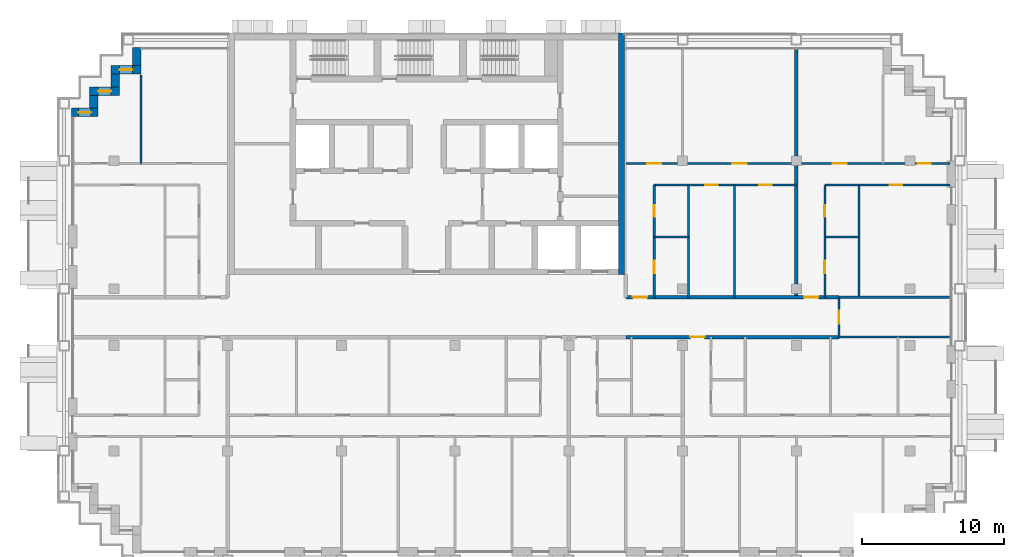
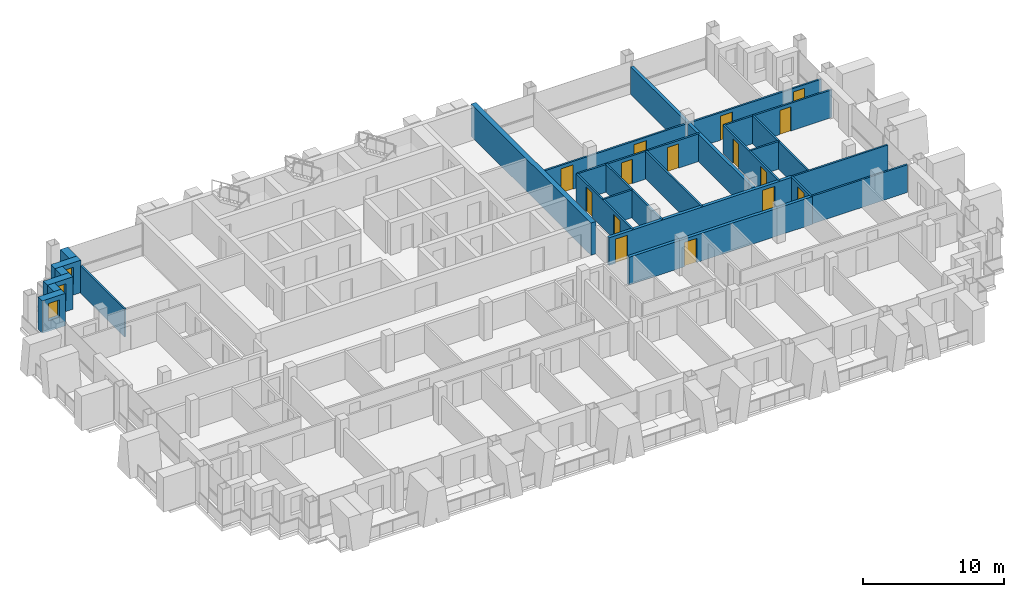
# One storey, part 11 of 16: 25 walls, 15 doors, 3 windows, 18 openings.
"""IFC4 building model written with IfcOpenShell, lengths in metres."""

from ifc_helpers import new_model, si_unit, direction, frame, frame_2d, origin, place, context, subcontext, project, spatial, rectangle, extrude, material, layer, layer_set, type_object, element, fill, save


model = new_model("IFC4")

# Units and contexts
model_context = context("Model", 3, precision=1e-05, world=origin(), true_north=direction((0.0, 1.0)))
body_context = subcontext(model_context, "Body", "Model", "MODEL_VIEW")
ifc_project = project(units=[si_unit("LENGTHUNIT", "METRE"), si_unit("AREAUNIT", "SQUARE_METRE"), si_unit("VOLUMEUNIT", "CUBIC_METRE"), si_unit("PLANEANGLEUNIT", "RADIAN"), si_unit("MASSUNIT", "GRAM", prefix="KILO")], contexts=[model_context])

# Site, building, storey
site_placement = place(None, origin())
site = spatial("IfcSite", under=ifc_project, at=site_placement, CompositionType="ELEMENT")
building_placement = place(site_placement, origin())
building = spatial("IfcBuilding", under=site, at=building_placement, Name="Vidyagriha Tower", CompositionType="ELEMENT")
storey_placement = place(building_placement, frame((0.0, 0.0, 190.89990234375)))
storey = spatial("IfcBuildingStorey", under=building, at=storey_placement, Name="L50", CompositionType="ELEMENT", Elevation=190.89990234375)

# Wall
ifc_material_1 = material(Name="Precast concrete C40/50 with brick facing", Category="concrete")
ifc_layer_1 = layer(ifc_material_1, 0.60009765625)
ifc_layer_set_1 = layer_set([ifc_layer_1], Name="Precast concrete C40/50 with brick facing")
wall_type_1 = type_object("IfcWallType", Name="Brick-faced precast wall 600", PredefinedType="STANDARD", material=ifc_layer_set_1)
wall_1_placement = place(storey_placement, frame((-20.39990234375, 18.97998046875, 0.0), z_axis=(0.0, 0.0, 1.0), x_axis=(0.0, -1.0, 0.0)))
element("IfcWall", 1, at=wall_1_placement, inside=storey, type_object=wall_type_1, Name="Stepped corner wall L50 R10", PredefinedType="STANDARD", context=body_context, shape_type="SweptSolid", body=[
    extrude(rectangle(XDim=1.280029296875, YDim=0.60009765625, at=frame_2d((0.64013671875, 0.0))), origin(), (0.0, 0.0, 1.0), 2.800048828125),
])

# Wall, opening, window
wall_2_placement = place(storey_placement, frame((-20.10009765625, 17.39990234375, 0.0), z_axis=(0.0, 0.0, 1.0), x_axis=(-1.0, 0.0, 0.0)))
wall_2 = element("IfcWall", 2, at=wall_2_placement, inside=storey, type_object=wall_type_1, Name="Stepped corner wall L50 R11", PredefinedType="STANDARD", context=body_context, shape_type="SweptSolid", body=[
    extrude(rectangle(XDim=2.099853515625, YDim=0.60009765625, at=frame_2d((1.0498046875, 0.0))), origin(), (0.0, 0.0, 1.0), 2.800048828125),
])
opening_1_placement = place(wall_2_placement, frame((0.60009765625, 0.0, 0.89990234375)))
opening_1 = element("IfcOpeningElement", 3, at=opening_1_placement, cuts=wall_2, Name="Opening WN1", PredefinedType="OPENING", context=body_context, shape_type="SweptSolid", body=[
    extrude(rectangle(XDim=0.89990234375, YDim=1.5, at=frame_2d((0.449951171875, 0.75))), frame((0.0, 0.31005859375, 0.0), z_axis=(0.0, -1.0, 0.0), x_axis=(1.0, 0.0, 0.0)), (0.0, 0.0, 1.0), 0.6201171875),
])
ifc_material_2 = material(Name="Aluminium and glass window", Category="aluminium")
window_type = type_object("IfcWindowType", Name="Reveal window 900x1500", PartitioningType="NOTDEFINED", PredefinedType="WINDOW", material=ifc_material_2)
window_1_placement = place(opening_1_placement, origin())
window_1 = element("IfcWindow", 4, at=window_1_placement, inside=storey, type_object=window_type, Name="Reveal window L50 R11", OverallHeight=1.5, OverallWidth=0.89990234375, PartitioningType="SINGLE_PANEL", PredefinedType="WINDOW", context=body_context, shape_type="SweptSolid", body=[
    extrude(rectangle(XDim=0.89990234375, YDim=1.5, at=frame_2d((0.449951171875, 0.75))), frame((0.0, 0.030029296875, 0.0), z_axis=(0.0, -1.0, 0.0), x_axis=(1.0, 0.0, 0.0)), (0.0, 0.0, 1.0), 0.06005859375),
])
fill(opening_1, window_1)

# Wall
wall_3_placement = place(storey_placement, frame((-21.89990234375, 17.10009765625, 0.0), z_axis=(0.0, 0.0, 1.0), x_axis=(0.0, -1.0, 0.0)))
element("IfcWall", 5, at=wall_3_placement, inside=storey, type_object=wall_type_1, Name="Stepped corner wall L50 R12", PredefinedType="STANDARD", context=body_context, shape_type="SweptSolid", body=[
    extrude(rectangle(XDim=0.900146484375, YDim=0.60009765625, at=frame_2d((0.4501953125, 0.0))), origin(), (0.0, 0.0, 1.0), 2.800048828125),
])

# Wall, opening, window
wall_4_placement = place(storey_placement, frame((-21.60009765625, 15.89990234375, 0.0), z_axis=(0.0, 0.0, 1.0), x_axis=(-1.0, 0.0, 0.0)))
wall_4 = element("IfcWall", 6, at=wall_4_placement, inside=storey, type_object=wall_type_1, Name="Stepped corner wall L50 R13", PredefinedType="STANDARD", context=body_context, shape_type="SweptSolid", body=[
    extrude(rectangle(XDim=2.099853515625, YDim=0.60009765625, at=frame_2d((1.0498046875, 0.0))), origin(), (0.0, 0.0, 1.0), 2.800048828125),
])
opening_2_placement = place(wall_4_placement, frame((0.60009765625, 0.0, 0.89990234375)))
opening_2 = element("IfcOpeningElement", 7, at=opening_2_placement, cuts=wall_4, Name="Opening WN1", PredefinedType="OPENING", context=body_context, shape_type="SweptSolid", body=[
    extrude(rectangle(XDim=0.89990234375, YDim=1.5, at=frame_2d((0.449951171875, 0.75))), frame((0.0, 0.31005859375, 0.0), z_axis=(0.0, -1.0, 0.0), x_axis=(1.0, 0.0, 0.0)), (0.0, 0.0, 1.0), 0.6201171875),
])
window_2_placement = place(opening_2_placement, origin())
window_2 = element("IfcWindow", 8, at=window_2_placement, inside=storey, type_object=window_type, Name="Reveal window L50 R13", OverallHeight=1.5, OverallWidth=0.89990234375, PartitioningType="SINGLE_PANEL", PredefinedType="WINDOW", context=body_context, shape_type="SweptSolid", body=[
    extrude(rectangle(XDim=0.89990234375, YDim=1.5, at=frame_2d((0.449951171875, 0.75))), frame((0.0, 0.030029296875, 0.0), z_axis=(0.0, -1.0, 0.0), x_axis=(1.0, 0.0, 0.0)), (0.0, 0.0, 1.0), 0.06005859375),
])
fill(opening_2, window_2)

# Wall
wall_5_placement = place(storey_placement, frame((-23.39990234375, 15.60009765625, 0.0), z_axis=(0.0, 0.0, 1.0), x_axis=(0.0, -1.0, 0.0)))
element("IfcWall", 9, at=wall_5_placement, inside=storey, type_object=wall_type_1, Name="Stepped corner wall L50 R14", PredefinedType="STANDARD", context=body_context, shape_type="SweptSolid", body=[
    extrude(rectangle(XDim=0.900146484375, YDim=0.60009765625, at=frame_2d((0.4501953125, 0.0))), origin(), (0.0, 0.0, 1.0), 2.800048828125),
])

# Wall, opening, window
wall_6_placement = place(storey_placement, frame((-23.10009765625, 14.39990234375, 0.0), z_axis=(0.0, 0.0, 1.0), x_axis=(-1.0, 0.0, 0.0)))
wall_6 = element("IfcWall", 10, at=wall_6_placement, inside=storey, type_object=wall_type_1, Name="Stepped corner wall L50 R15", PredefinedType="STANDARD", context=body_context, shape_type="SweptSolid", body=[
    extrude(rectangle(XDim=1.8798828125, YDim=0.60009765625, at=frame_2d((0.93994140625, 0.0))), origin(), (0.0, 0.0, 1.0), 2.800048828125),
])
opening_3_placement = place(wall_6_placement, frame((0.489990234375, 0.0, 0.89990234375)))
opening_3 = element("IfcOpeningElement", 11, at=opening_3_placement, cuts=wall_6, Name="Opening WN1", PredefinedType="OPENING", context=body_context, shape_type="SweptSolid", body=[
    extrude(rectangle(XDim=0.89990234375, YDim=1.5, at=frame_2d((0.449951171875, 0.75))), frame((0.0, 0.31005859375, 0.0), z_axis=(0.0, -1.0, 0.0), x_axis=(1.0, 0.0, 0.0)), (0.0, 0.0, 1.0), 0.6201171875),
])
window_3_placement = place(opening_3_placement, origin())
window_3 = element("IfcWindow", 12, at=window_3_placement, inside=storey, type_object=window_type, Name="Reveal window L50 R15", OverallHeight=1.5, OverallWidth=0.89990234375, PartitioningType="SINGLE_PANEL", PredefinedType="WINDOW", context=body_context, shape_type="SweptSolid", body=[
    extrude(rectangle(XDim=0.89990234375, YDim=1.5, at=frame_2d((0.449951171875, 0.75))), frame((0.0, 0.030029296875, 0.0), z_axis=(0.0, -1.0, 0.0), x_axis=(1.0, 0.0, 0.0)), (0.0, 0.0, 1.0), 0.06005859375),
])
fill(opening_3, window_3)

# Wall
ifc_material_3 = material(Name="Concrete C60/75", Category="concrete")
ifc_layer_2 = layer(ifc_material_3, 0.39990234375)
ifc_layer_set_2 = layer_set([ifc_layer_2], Name="Concrete C60/75")
wall_type_2 = type_object("IfcWallType", Name="Core shear wall 400 mm", PredefinedType="SHEAR", material=ifc_layer_set_2)
wall_7_placement = place(storey_placement, frame((13.699951171875, 3.0, 0.0), z_axis=(0.0, 0.0, 1.0), x_axis=(0.0, 1.0, 0.0)))
element("IfcWall", 13, at=wall_7_placement, inside=storey, type_object=wall_type_2, Name="Core east wall", PredefinedType="SHEAR", context=body_context, shape_type="SweptSolid", body=[
    extrude(rectangle(XDim=17.0, YDim=0.39990234375, at=frame_2d((8.5, 0.0))), origin(), (0.0, 0.0, 1.0), 2.800048828125),
])

# Wall, opening, door
ifc_material_4 = material(Name="Fired clay brick masonry", Category="masonry")
ifc_layer_3 = layer(ifc_material_4, 0.25)
ifc_layer_set_3 = layer_set([ifc_layer_3], Name="Fired clay brick masonry")
wall_type_3 = type_object("IfcWallType", Name="Fired clay brick corridor wall 250", PredefinedType="PARTITIONING", material=ifc_layer_set_3)
wall_8_placement = place(storey_placement, frame((29.0, -1.39990234375, 0.0), z_axis=(0.0, 0.0, 1.0), x_axis=(-1.0, 0.0, 0.0)))
wall_8 = element("IfcWall", 14, at=wall_8_placement, inside=storey, type_object=wall_type_3, Name="Wall all-L50-w071", PredefinedType="PARTITIONING", context=body_context, shape_type="SweptSolid", body=[
    extrude(rectangle(XDim=15.0, YDim=0.25, at=frame_2d((7.5, 0.0))), origin(), (0.0, 0.0, 1.0), 2.400146484375),
])
opening_4_placement = place(wall_8_placement, frame((9.452880859375, 0.0, 0.0)))
opening_4 = element("IfcOpeningElement", 15, at=opening_4_placement, cuts=wall_8, Name="Opening D50-49", PredefinedType="OPENING", context=body_context, shape_type="SweptSolid", body=[
    extrude(rectangle(XDim=1.0, YDim=2.10009765625, at=frame_2d((0.5, 1.050048828125))), frame((0.0, 0.135009765625, 0.0), z_axis=(0.0, -1.0, 0.0), x_axis=(1.0, 0.0, 0.0)), (0.0, 0.0, 1.0), 0.27001953125),
])
ifc_material_5 = material(Name="Fire-rated timber door leaf EI 60", Category="wood")
door_type_1 = type_object("IfcDoorType", Name="Flat entrance fire door 1000x2100", OperationType="NOTDEFINED", PredefinedType="DOOR", material=ifc_material_5)
door_1_placement = place(opening_4_placement, origin())
door_1 = element("IfcDoor", 16, at=door_1_placement, inside=storey, type_object=door_type_1, Name="Door D50-49", OperationType="SINGLE_SWING_RIGHT", OverallHeight=2.10009765625, OverallWidth=1.0, PredefinedType="DOOR", context=body_context, shape_type="SweptSolid", body=[
    extrude(rectangle(XDim=1.0, YDim=2.10009765625, at=frame_2d((0.5, 1.050048828125))), frame((0.0, 0.02490234375, 0.0), z_axis=(0.0, -1.0, 0.0), x_axis=(1.0, 0.0, 0.0)), (0.0, 0.0, 1.0), 0.050048828125),
])
fill(opening_4, door_1)

# Wall, openings, doors
wall_9_placement = place(storey_placement, frame((14.0, 1.39990234375, 0.0)))
wall_9 = element("IfcWall", 17, at=wall_9_placement, inside=storey, type_object=wall_type_3, Name="Wall all-L50-w113", PredefinedType="PARTITIONING", context=body_context, shape_type="SweptSolid", body=[
    extrude(rectangle(XDim=15.0, YDim=0.25, at=frame_2d((7.5, 0.0))), origin(), (0.0, 0.0, 1.0), 2.400146484375),
])
opening_5_placement = place(wall_9_placement, frame((0.5, 0.0, 0.0)))
opening_5 = element("IfcOpeningElement", 18, at=opening_5_placement, cuts=wall_9, Name="Opening D50-62", PredefinedType="OPENING", context=body_context, shape_type="SweptSolid", body=[
    extrude(rectangle(XDim=1.0, YDim=2.10009765625, at=frame_2d((0.5, 1.050048828125))), frame((0.0, 0.135009765625, 0.0), z_axis=(0.0, -1.0, 0.0), x_axis=(1.0, 0.0, 0.0)), (0.0, 0.0, 1.0), 0.27001953125),
])
opening_6_placement = place(wall_9_placement, frame((12.547119140625, 0.0, 0.0)))
opening_6 = element("IfcOpeningElement", 19, at=opening_6_placement, cuts=wall_9, Name="Opening D50-68", PredefinedType="OPENING", context=body_context, shape_type="SweptSolid", body=[
    extrude(rectangle(XDim=1.0, YDim=2.10009765625, at=frame_2d((0.5, 1.050048828125))), frame((0.0, 0.135009765625, 0.0), z_axis=(0.0, -1.0, 0.0), x_axis=(1.0, 0.0, 0.0)), (0.0, 0.0, 1.0), 0.27001953125),
])
door_2_placement = place(opening_5_placement, origin())
door_2 = element("IfcDoor", 20, at=door_2_placement, inside=storey, type_object=door_type_1, Name="Door D50-62", OperationType="SINGLE_SWING_LEFT", OverallHeight=2.10009765625, OverallWidth=1.0, PredefinedType="DOOR", context=body_context, shape_type="SweptSolid", body=[
    extrude(rectangle(XDim=1.0, YDim=2.10009765625, at=frame_2d((0.5, 1.050048828125))), frame((0.0, 0.02490234375, 0.0), z_axis=(0.0, -1.0, 0.0), x_axis=(1.0, 0.0, 0.0)), (0.0, 0.0, 1.0), 0.050048828125),
])
fill(opening_5, door_2)
door_3_placement = place(opening_6_placement, origin())
door_3 = element("IfcDoor", 21, at=door_3_placement, inside=storey, type_object=door_type_1, Name="Door D50-68", OperationType="SINGLE_SWING_LEFT", OverallHeight=2.10009765625, OverallWidth=1.0, PredefinedType="DOOR", context=body_context, shape_type="SweptSolid", body=[
    extrude(rectangle(XDim=1.0, YDim=2.10009765625, at=frame_2d((0.5, 1.050048828125))), frame((0.0, 0.02490234375, 0.0), z_axis=(0.0, -1.0, 0.0), x_axis=(1.0, 0.0, 0.0)), (0.0, 0.0, 1.0), 0.050048828125),
])
fill(opening_6, door_3)

# Walls
ifc_material_6 = material(Name="Fired clay brick masonry", Category="masonry")
ifc_layer_4 = layer(ifc_material_6, 0.25)
ifc_layer_set_4 = layer_set([ifc_layer_4], Name="Fired clay brick masonry")
wall_type_4 = type_object("IfcWallType", Name="Fired clay brick demising wall 250", PredefinedType="PARTITIONING", material=ifc_layer_set_4)
wall_10_placement = place(storey_placement, frame((26.0, 18.821044921875, 0.0), z_axis=(0.0, 0.0, 1.0), x_axis=(0.0, -1.0, 0.0)))
element("IfcWall", 22, at=wall_10_placement, inside=storey, type_object=wall_type_4, Name="Wall all-L50-w112", PredefinedType="PARTITIONING", context=body_context, shape_type="SweptSolid", body=[
    extrude(rectangle(XDim=17.421142578125, YDim=0.25, at=frame_2d((8.71044921875, 0.0))), origin(), (0.0, 0.0, 1.0), 2.400146484375),
])
ifc_material_7 = material(Name="Gypsum board partition")
ifc_layer_5 = layer(ifc_material_7, 0.14990234375)
ifc_layer_set_5 = layer_set([ifc_layer_5], Name="Gypsum board partition")
wall_type_5 = type_object("IfcWallType", Name="Gypsum board partition 150", PredefinedType="PARTITIONING", material=ifc_layer_set_5)
wall_11_placement = place(storey_placement, frame((36.820068359375, -1.39990234375, 0.0), z_axis=(0.0, 0.0, 1.0), x_axis=(-1.0, 0.0, 0.0)))
element("IfcWall", 23, at=wall_11_placement, inside=storey, type_object=wall_type_5, Name="Wall all-L50-w072", PredefinedType="PARTITIONING", context=body_context, shape_type="SweptSolid", body=[
    extrude(rectangle(XDim=7.820068359375, YDim=0.14990234375, at=frame_2d((3.91015625, 0.0))), origin(), (0.0, 0.0, 1.0), 2.400146484375),
])
wall_12_placement = place(storey_placement, frame((-20.10009765625, 17.02001953125, 0.0), z_axis=(0.0, 0.0, 1.0), x_axis=(0.0, -1.0, 0.0)))
element("IfcWall", 24, at=wall_12_placement, inside=storey, type_object=wall_type_5, Name="Wall all-L50-w083", PredefinedType="PARTITIONING", context=body_context, shape_type="SweptSolid", body=[
    extrude(rectangle(XDim=6.219970703125, YDim=0.14990234375, at=frame_2d((3.10986328125, 0.0))), origin(), (0.0, 0.0, 1.0), 2.400146484375),
])
wall_13_placement = place(storey_placement, frame((16.0, 5.64990234375, 0.0)))
element("IfcWall", 25, at=wall_13_placement, inside=storey, type_object=wall_type_5, Name="Wall all-L50-w089", PredefinedType="PARTITIONING", context=body_context, shape_type="SweptSolid", body=[
    extrude(rectangle(XDim=2.39990234375, YDim=0.14990234375, at=frame_2d((1.199951171875, 0.0))), origin(), (0.0, 0.0, 1.0), 2.400146484375),
])
for number, where, z_axis, x_axis, name in (
    (26, (18.39990234375, 9.300048828125, 0.0), (0.0, 0.0, 1.0), (0.0, -1.0, 0.0), "Wall all-L50-w090"),
    (27, (21.64990234375, 9.300048828125, 0.0), (0.0, 0.0, 1.0), (0.0, -1.0, 0.0), "Wall all-L50-w091"),
):
    element("IfcWall", number, at=place(storey_placement, frame(where, z_axis=z_axis, x_axis=x_axis)), inside=storey, type_object=wall_type_5, Name=name, PredefinedType="PARTITIONING", context=body_context, shape_type="SweptSolid", body=[
        extrude(rectangle(XDim=7.900146484375, YDim=0.14990234375, at=frame_2d((3.9501953125, 0.0))), origin(), (0.0, 0.0, 1.0), 2.400146484375),
    ])

# Wall, openings, doors
wall_14_placement = place(storey_placement, frame((26.0, 9.300048828125, 0.0), z_axis=(0.0, 0.0, 1.0), x_axis=(-1.0, 0.0, 0.0)))
wall_14 = element("IfcWall", 28, at=wall_14_placement, inside=storey, type_object=wall_type_5, Name="Wall all-L50-w092", PredefinedType="PARTITIONING", context=body_context, shape_type="SweptSolid", body=[
    extrude(rectangle(XDim=10.0, YDim=0.14990234375, at=frame_2d((5.0, 0.0))), origin(), (0.0, 0.0, 1.0), 2.400146484375),
])
opening_7_placement = place(wall_14_placement, frame((5.52490234375, 0.0, 0.0)))
opening_7 = element("IfcOpeningElement", 29, at=opening_7_placement, cuts=wall_14, Name="Opening D50-58", PredefinedType="OPENING", context=body_context, shape_type="SweptSolid", body=[
    extrude(rectangle(XDim=0.89990234375, YDim=2.10009765625, at=frame_2d((0.449951171875, 1.050048828125))), frame((0.0, 0.0849609375, 0.0), z_axis=(0.0, -1.0, 0.0), x_axis=(1.0, 0.0, 0.0)), (0.0, 0.0, 1.0), 0.169921875),
])
opening_8_placement = place(wall_14_placement, frame((1.72509765625, 0.0, 0.0)))
opening_8 = element("IfcOpeningElement", 30, at=opening_8_placement, cuts=wall_14, Name="Opening D50-59", PredefinedType="OPENING", context=body_context, shape_type="SweptSolid", body=[
    extrude(rectangle(XDim=0.89990234375, YDim=2.10009765625, at=frame_2d((0.449951171875, 1.050048828125))), frame((0.0, 0.0849609375, 0.0), z_axis=(0.0, -1.0, 0.0), x_axis=(1.0, 0.0, 0.0)), (0.0, 0.0, 1.0), 0.169921875),
])
ifc_material_8 = material(Name="Timber door leaf", Category="wood")
door_type_2 = type_object("IfcDoorType", Name="Room door 900x2100", OperationType="NOTDEFINED", PredefinedType="DOOR", material=ifc_material_8)
door_4_placement = place(opening_7_placement, origin())
door_4 = element("IfcDoor", 31, at=door_4_placement, inside=storey, type_object=door_type_2, Name="Door D50-58", OperationType="SINGLE_SWING_RIGHT", OverallHeight=2.10009765625, OverallWidth=0.89990234375, PredefinedType="DOOR", context=body_context, shape_type="SweptSolid", body=[
    extrude(rectangle(XDim=0.89990234375, YDim=2.10009765625, at=frame_2d((0.449951171875, 1.050048828125))), frame((0.0, 0.02490234375, 0.0), z_axis=(0.0, -1.0, 0.0), x_axis=(1.0, 0.0, 0.0)), (0.0, 0.0, 1.0), 0.050048828125),
])
fill(opening_7, door_4)
door_5_placement = place(opening_8_placement, origin())
door_5 = element("IfcDoor", 32, at=door_5_placement, inside=storey, type_object=door_type_2, Name="Door D50-59", OperationType="SINGLE_SWING_RIGHT", OverallHeight=2.10009765625, OverallWidth=0.89990234375, PredefinedType="DOOR", context=body_context, shape_type="SweptSolid", body=[
    extrude(rectangle(XDim=0.89990234375, YDim=2.10009765625, at=frame_2d((0.449951171875, 1.050048828125))), frame((0.0, 0.02490234375, 0.0), z_axis=(0.0, -1.0, 0.0), x_axis=(1.0, 0.0, 0.0)), (0.0, 0.0, 1.0), 0.050048828125),
])
fill(opening_8, door_5)

wall_15_placement = place(storey_placement, frame((14.0, 10.800048828125, 0.0)))
wall_15 = element("IfcWall", 33, at=wall_15_placement, inside=storey, type_object=wall_type_5, Name="Wall all-L50-w095", PredefinedType="PARTITIONING", context=body_context, shape_type="SweptSolid", body=[
    extrude(rectangle(XDim=12.0, YDim=0.14990234375, at=frame_2d((6.0, 0.0))), origin(), (0.0, 0.0, 1.0), 2.400146484375),
])
opening_9_placement = place(wall_15_placement, frame((1.5, 0.0, 0.0)))
opening_9 = element("IfcOpeningElement", 34, at=opening_9_placement, cuts=wall_15, Name="Opening D50-60", PredefinedType="OPENING", context=body_context, shape_type="SweptSolid", body=[
    extrude(rectangle(XDim=1.0, YDim=2.10009765625, at=frame_2d((0.5, 1.050048828125))), frame((0.0, 0.0849609375, 0.0), z_axis=(0.0, -1.0, 0.0), x_axis=(1.0, 0.0, 0.0)), (0.0, 0.0, 1.0), 0.169921875),
])
opening_10_placement = place(wall_15_placement, frame((7.5, 0.0, 0.0)))
opening_10 = element("IfcOpeningElement", 35, at=opening_10_placement, cuts=wall_15, Name="Opening D50-61", PredefinedType="OPENING", context=body_context, shape_type="SweptSolid", body=[
    extrude(rectangle(XDim=1.0, YDim=2.10009765625, at=frame_2d((0.5, 1.050048828125))), frame((0.0, 0.0849609375, 0.0), z_axis=(0.0, -1.0, 0.0), x_axis=(1.0, 0.0, 0.0)), (0.0, 0.0, 1.0), 0.169921875),
])
ifc_material_9 = material(Name="Timber door leaf", Category="wood")
door_type_3 = type_object("IfcDoorType", Name="Room door 1000x2100", OperationType="NOTDEFINED", PredefinedType="DOOR", material=ifc_material_9)
door_6_placement = place(opening_9_placement, origin())
door_6 = element("IfcDoor", 36, at=door_6_placement, inside=storey, type_object=door_type_3, Name="Door D50-60", OperationType="SINGLE_SWING_RIGHT", OverallHeight=2.10009765625, OverallWidth=1.0, PredefinedType="DOOR", context=body_context, shape_type="SweptSolid", body=[
    extrude(rectangle(XDim=1.0, YDim=2.10009765625, at=frame_2d((0.5, 1.050048828125))), frame((0.0, 0.02490234375, 0.0), z_axis=(0.0, -1.0, 0.0), x_axis=(1.0, 0.0, 0.0)), (0.0, 0.0, 1.0), 0.050048828125),
])
fill(opening_9, door_6)
door_7_placement = place(opening_10_placement, origin())
door_7 = element("IfcDoor", 37, at=door_7_placement, inside=storey, type_object=door_type_3, Name="Door D50-61", OperationType="SINGLE_SWING_RIGHT", OverallHeight=2.10009765625, OverallWidth=1.0, PredefinedType="DOOR", context=body_context, shape_type="SweptSolid", body=[
    extrude(rectangle(XDim=1.0, YDim=2.10009765625, at=frame_2d((0.5, 1.050048828125))), frame((0.0, 0.02490234375, 0.0), z_axis=(0.0, -1.0, 0.0), x_axis=(1.0, 0.0, 0.0)), (0.0, 0.0, 1.0), 0.050048828125),
])
fill(opening_10, door_7)

# Walls
wall_16_placement = place(storey_placement, frame((28.0, 5.64990234375, 0.0)))
element("IfcWall", 38, at=wall_16_placement, inside=storey, type_object=wall_type_5, Name="Wall all-L50-w103", PredefinedType="PARTITIONING", context=body_context, shape_type="SweptSolid", body=[
    extrude(rectangle(XDim=2.39990234375, YDim=0.14990234375, at=frame_2d((1.199951171875, 0.0))), origin(), (0.0, 0.0, 1.0), 2.400146484375),
])
wall_17_placement = place(storey_placement, frame((30.39990234375, 9.300048828125, 0.0), z_axis=(0.0, 0.0, 1.0), x_axis=(0.0, -1.0, 0.0)))
element("IfcWall", 39, at=wall_17_placement, inside=storey, type_object=wall_type_5, Name="Wall all-L50-w104", PredefinedType="PARTITIONING", context=body_context, shape_type="SweptSolid", body=[
    extrude(rectangle(XDim=7.900146484375, YDim=0.14990234375, at=frame_2d((3.9501953125, 0.0))), origin(), (0.0, 0.0, 1.0), 2.400146484375),
])

# Wall, opening, door
wall_18_placement = place(storey_placement, frame((36.81005859375, 9.300048828125, 0.0), z_axis=(0.0, 0.0, 1.0), x_axis=(-1.0, 0.0, 0.0)))
wall_18 = element("IfcWall", 40, at=wall_18_placement, inside=storey, type_object=wall_type_5, Name="Wall all-L50-w105", PredefinedType="PARTITIONING", context=body_context, shape_type="SweptSolid", body=[
    extrude(rectangle(XDim=8.81005859375, YDim=0.14990234375, at=frame_2d((4.405029296875, 0.0))), origin(), (0.0, 0.0, 1.0), 2.400146484375),
])
opening_11_placement = place(wall_18_placement, frame((3.35693359375, 0.0, 0.0)))
opening_11 = element("IfcOpeningElement", 41, at=opening_11_placement, cuts=wall_18, Name="Opening D50-65", PredefinedType="OPENING", context=body_context, shape_type="SweptSolid", body=[
    extrude(rectangle(XDim=0.89990234375, YDim=2.10009765625, at=frame_2d((0.449951171875, 1.050048828125))), frame((0.0, 0.0849609375, 0.0), z_axis=(0.0, -1.0, 0.0), x_axis=(1.0, 0.0, 0.0)), (0.0, 0.0, 1.0), 0.169921875),
])
door_8_placement = place(opening_11_placement, origin())
door_8 = element("IfcDoor", 42, at=door_8_placement, inside=storey, type_object=door_type_2, Name="Door D50-65", OperationType="SINGLE_SWING_RIGHT", OverallHeight=2.10009765625, OverallWidth=0.89990234375, PredefinedType="DOOR", context=body_context, shape_type="SweptSolid", body=[
    extrude(rectangle(XDim=0.89990234375, YDim=2.10009765625, at=frame_2d((0.449951171875, 1.050048828125))), frame((0.0, 0.02490234375, 0.0), z_axis=(0.0, -1.0, 0.0), x_axis=(1.0, 0.0, 0.0)), (0.0, 0.0, 1.0), 0.050048828125),
])
fill(opening_11, door_8)

# Wall, openings, doors
wall_19_placement = place(storey_placement, frame((26.0, 10.800048828125, 0.0)))
wall_19 = element("IfcWall", 43, at=wall_19_placement, inside=storey, type_object=wall_type_5, Name="Wall all-L50-w107", PredefinedType="PARTITIONING", context=body_context, shape_type="SweptSolid", body=[
    extrude(rectangle(XDim=10.81005859375, YDim=0.14990234375, at=frame_2d((5.405029296875, 0.0))), origin(), (0.0, 0.0, 1.0), 2.400146484375),
])
opening_12_placement = place(wall_19_placement, frame((2.550048828125, 0.0, 0.0)))
opening_12 = element("IfcOpeningElement", 44, at=opening_12_placement, cuts=wall_19, Name="Opening D50-66", PredefinedType="OPENING", context=body_context, shape_type="SweptSolid", body=[
    extrude(rectangle(XDim=1.0, YDim=2.10009765625, at=frame_2d((0.5, 1.050048828125))), frame((0.0, 0.0849609375, 0.0), z_axis=(0.0, -1.0, 0.0), x_axis=(1.0, 0.0, 0.0)), (0.0, 0.0, 1.0), 0.169921875),
])
opening_13_placement = place(wall_19_placement, frame((8.547119140625, 0.0, 0.0)))
opening_13 = element("IfcOpeningElement", 45, at=opening_13_placement, cuts=wall_19, Name="Opening D50-67", PredefinedType="OPENING", context=body_context, shape_type="SweptSolid", body=[
    extrude(rectangle(XDim=0.89990234375, YDim=2.10009765625, at=frame_2d((0.449951171875, 1.050048828125))), frame((0.0, 0.0849609375, 0.0), z_axis=(0.0, -1.0, 0.0), x_axis=(1.0, 0.0, 0.0)), (0.0, 0.0, 1.0), 0.169921875),
])
door_9_placement = place(opening_12_placement, origin())
door_9 = element("IfcDoor", 46, at=door_9_placement, inside=storey, type_object=door_type_3, Name="Door D50-66", OperationType="SINGLE_SWING_RIGHT", OverallHeight=2.10009765625, OverallWidth=1.0, PredefinedType="DOOR", context=body_context, shape_type="SweptSolid", body=[
    extrude(rectangle(XDim=1.0, YDim=2.10009765625, at=frame_2d((0.5, 1.050048828125))), frame((0.0, 0.02490234375, 0.0), z_axis=(0.0, -1.0, 0.0), x_axis=(1.0, 0.0, 0.0)), (0.0, 0.0, 1.0), 0.050048828125),
])
fill(opening_12, door_9)
door_10_placement = place(opening_13_placement, origin())
door_10 = element("IfcDoor", 47, at=door_10_placement, inside=storey, type_object=door_type_2, Name="Door D50-67", OperationType="SINGLE_SWING_RIGHT", OverallHeight=2.10009765625, OverallWidth=0.89990234375, PredefinedType="DOOR", context=body_context, shape_type="SweptSolid", body=[
    extrude(rectangle(XDim=0.89990234375, YDim=2.10009765625, at=frame_2d((0.449951171875, 1.050048828125))), frame((0.0, 0.02490234375, 0.0), z_axis=(0.0, -1.0, 0.0), x_axis=(1.0, 0.0, 0.0)), (0.0, 0.0, 1.0), 0.050048828125),
])
fill(opening_13, door_10)

# Wall
wall_20_placement = place(storey_placement, frame((29.0, 1.39990234375, 0.0)))
element("IfcWall", 48, at=wall_20_placement, inside=storey, type_object=wall_type_5, Name="Wall all-L50-w114", PredefinedType="PARTITIONING", context=body_context, shape_type="SweptSolid", body=[
    extrude(rectangle(XDim=7.820068359375, YDim=0.14990234375, at=frame_2d((3.91015625, 0.0))), origin(), (0.0, 0.0, 1.0), 2.400146484375),
])

# Wall, opening, door
wall_21_placement = place(storey_placement, frame((29.0, -1.39990234375, 0.0), z_axis=(0.0, 0.0, 1.0), x_axis=(0.0, 1.0, 0.0)))
wall_21 = element("IfcWall", 49, at=wall_21_placement, inside=storey, type_object=wall_type_5, Name="Wall all-L50-w115", PredefinedType="PARTITIONING", context=body_context, shape_type="SweptSolid", body=[
    extrude(rectangle(XDim=2.7998046875, YDim=0.14990234375, at=frame_2d((1.39990234375, 0.0))), origin(), (0.0, 0.0, 1.0), 2.400146484375),
])
opening_14_placement = place(wall_21_placement, frame((0.949951171875, 0.0, 0.0)))
opening_14 = element("IfcOpeningElement", 50, at=opening_14_placement, cuts=wall_21, Name="Opening D50-69", PredefinedType="OPENING", context=body_context, shape_type="SweptSolid", body=[
    extrude(rectangle(XDim=0.89990234375, YDim=2.10009765625, at=frame_2d((0.449951171875, 1.050048828125))), frame((0.0, 0.0849609375, 0.0), z_axis=(0.0, -1.0, 0.0), x_axis=(1.0, 0.0, 0.0)), (0.0, 0.0, 1.0), 0.169921875),
])
door_11_placement = place(opening_14_placement, origin())
door_11 = element("IfcDoor", 51, at=door_11_placement, inside=storey, type_object=door_type_2, Name="Door D50-69", OperationType="SINGLE_SWING_RIGHT", OverallHeight=2.10009765625, OverallWidth=0.89990234375, PredefinedType="DOOR", context=body_context, shape_type="SweptSolid", body=[
    extrude(rectangle(XDim=0.89990234375, YDim=2.10009765625, at=frame_2d((0.449951171875, 1.050048828125))), frame((0.0, 0.02490234375, 0.0), z_axis=(0.0, -1.0, 0.0), x_axis=(1.0, 0.0, 0.0)), (0.0, 0.0, 1.0), 0.050048828125),
])
fill(opening_14, door_11)

# Wall, openings, doors
ifc_material_10 = material(Name="Moisture resistant gypsum board partition")
ifc_layer_6 = layer(ifc_material_10, 0.14990234375)
ifc_layer_set_6 = layer_set([ifc_layer_6], Name="Moisture resistant gypsum board partition")
wall_type_6 = type_object("IfcWallType", Name="Gypsum board wet-area partition 150", PredefinedType="PARTITIONING", material=ifc_layer_set_6)
wall_22_placement = place(storey_placement, frame((16.0, 9.300048828125, 0.0), z_axis=(0.0, 0.0, 1.0), x_axis=(0.0, -1.0, 0.0)))
wall_22 = element("IfcWall", 52, at=wall_22_placement, inside=storey, type_object=wall_type_6, Name="Wall all-L50-w086", PredefinedType="PARTITIONING", context=body_context, shape_type="SweptSolid", body=[
    extrude(rectangle(XDim=7.900146484375, YDim=0.14990234375, at=frame_2d((3.9501953125, 0.0))), origin(), (0.0, 0.0, 1.0), 2.400146484375),
])
opening_15_placement = place(wall_22_placement, frame((5.324951171875, 0.0, 0.0)))
opening_15 = element("IfcOpeningElement", 53, at=opening_15_placement, cuts=wall_22, Name="Opening D50-56", PredefinedType="OPENING", context=body_context, shape_type="SweptSolid", body=[
    extrude(rectangle(XDim=0.89990234375, YDim=2.10009765625, at=frame_2d((0.449951171875, 1.050048828125))), frame((0.0, 0.0849609375, 0.0), z_axis=(0.0, -1.0, 0.0), x_axis=(1.0, 0.0, 0.0)), (0.0, 0.0, 1.0), 0.169921875),
])
opening_16_placement = place(wall_22_placement, frame((1.425048828125, 0.0, 0.0)))
opening_16 = element("IfcOpeningElement", 54, at=opening_16_placement, cuts=wall_22, Name="Opening D50-57", PredefinedType="OPENING", context=body_context, shape_type="SweptSolid", body=[
    extrude(rectangle(XDim=0.800048828125, YDim=2.10009765625, at=frame_2d((0.39990234375, 1.050048828125))), frame((0.0, 0.0849609375, 0.0), z_axis=(0.0, -1.0, 0.0), x_axis=(1.0, 0.0, 0.0)), (0.0, 0.0, 1.0), 0.169921875),
])
ifc_material_11 = material(Name="Timber door leaf", Category="wood")
door_type_4 = type_object("IfcDoorType", Name="Bathroom door 800x2100", OperationType="NOTDEFINED", PredefinedType="DOOR", material=ifc_material_11)
door_12_placement = place(opening_16_placement, origin())
door_12 = element("IfcDoor", 55, at=door_12_placement, inside=storey, type_object=door_type_4, Name="Door D50-57", OperationType="SINGLE_SWING_RIGHT", OverallHeight=2.10009765625, OverallWidth=0.800048828125, PredefinedType="DOOR", context=body_context, shape_type="SweptSolid", body=[
    extrude(rectangle(XDim=0.800048828125, YDim=2.10009765625, at=frame_2d((0.39990234375, 1.050048828125))), frame((0.0, 0.02490234375, 0.0), z_axis=(0.0, -1.0, 0.0), x_axis=(1.0, 0.0, 0.0)), (0.0, 0.0, 1.0), 0.050048828125),
])
fill(opening_16, door_12)
ifc_material_12 = material(Name="Timber door leaf", Category="wood")
door_type_5 = type_object("IfcDoorType", Name="Kitchen door 900x2100", OperationType="NOTDEFINED", PredefinedType="DOOR", material=ifc_material_12)
door_13_placement = place(opening_15_placement, origin())
door_13 = element("IfcDoor", 56, at=door_13_placement, inside=storey, type_object=door_type_5, Name="Door D50-56", OperationType="SINGLE_SWING_LEFT", OverallHeight=2.10009765625, OverallWidth=0.89990234375, PredefinedType="DOOR", context=body_context, shape_type="SweptSolid", body=[
    extrude(rectangle(XDim=0.89990234375, YDim=2.10009765625, at=frame_2d((0.449951171875, 1.050048828125))), frame((0.0, 0.02490234375, 0.0), z_axis=(0.0, -1.0, 0.0), x_axis=(1.0, 0.0, 0.0)), (0.0, 0.0, 1.0), 0.050048828125),
])
fill(opening_15, door_13)

wall_23_placement = place(storey_placement, frame((28.0, 9.300048828125, 0.0), z_axis=(0.0, 0.0, 1.0), x_axis=(0.0, -1.0, 0.0)))
wall_23 = element("IfcWall", 57, at=wall_23_placement, inside=storey, type_object=wall_type_6, Name="Wall all-L50-w100", PredefinedType="PARTITIONING", context=body_context, shape_type="SweptSolid", body=[
    extrude(rectangle(XDim=7.900146484375, YDim=0.14990234375, at=frame_2d((3.9501953125, 0.0))), origin(), (0.0, 0.0, 1.0), 2.400146484375),
])
opening_17_placement = place(wall_23_placement, frame((5.324951171875, 0.0, 0.0)))
opening_17 = element("IfcOpeningElement", 58, at=opening_17_placement, cuts=wall_23, Name="Opening D50-63", PredefinedType="OPENING", context=body_context, shape_type="SweptSolid", body=[
    extrude(rectangle(XDim=0.89990234375, YDim=2.10009765625, at=frame_2d((0.449951171875, 1.050048828125))), frame((0.0, 0.0849609375, 0.0), z_axis=(0.0, -1.0, 0.0), x_axis=(1.0, 0.0, 0.0)), (0.0, 0.0, 1.0), 0.169921875),
])
opening_18_placement = place(wall_23_placement, frame((1.425048828125, 0.0, 0.0)))
opening_18 = element("IfcOpeningElement", 59, at=opening_18_placement, cuts=wall_23, Name="Opening D50-64", PredefinedType="OPENING", context=body_context, shape_type="SweptSolid", body=[
    extrude(rectangle(XDim=0.800048828125, YDim=2.10009765625, at=frame_2d((0.39990234375, 1.050048828125))), frame((0.0, 0.0849609375, 0.0), z_axis=(0.0, -1.0, 0.0), x_axis=(1.0, 0.0, 0.0)), (0.0, 0.0, 1.0), 0.169921875),
])
door_14_placement = place(opening_18_placement, origin())
door_14 = element("IfcDoor", 60, at=door_14_placement, inside=storey, type_object=door_type_4, Name="Door D50-64", OperationType="SINGLE_SWING_RIGHT", OverallHeight=2.10009765625, OverallWidth=0.800048828125, PredefinedType="DOOR", context=body_context, shape_type="SweptSolid", body=[
    extrude(rectangle(XDim=0.800048828125, YDim=2.10009765625, at=frame_2d((0.39990234375, 1.050048828125))), frame((0.0, 0.02490234375, 0.0), z_axis=(0.0, -1.0, 0.0), x_axis=(1.0, 0.0, 0.0)), (0.0, 0.0, 1.0), 0.050048828125),
])
fill(opening_18, door_14)
door_15_placement = place(opening_17_placement, origin())
door_15 = element("IfcDoor", 61, at=door_15_placement, inside=storey, type_object=door_type_5, Name="Door D50-63", OperationType="SINGLE_SWING_LEFT", OverallHeight=2.10009765625, OverallWidth=0.89990234375, PredefinedType="DOOR", context=body_context, shape_type="SweptSolid", body=[
    extrude(rectangle(XDim=0.89990234375, YDim=2.10009765625, at=frame_2d((0.449951171875, 1.050048828125))), frame((0.0, 0.02490234375, 0.0), z_axis=(0.0, -1.0, 0.0), x_axis=(1.0, 0.0, 0.0)), (0.0, 0.0, 1.0), 0.050048828125),
])
fill(opening_17, door_15)

save(model, "model.ifc")
